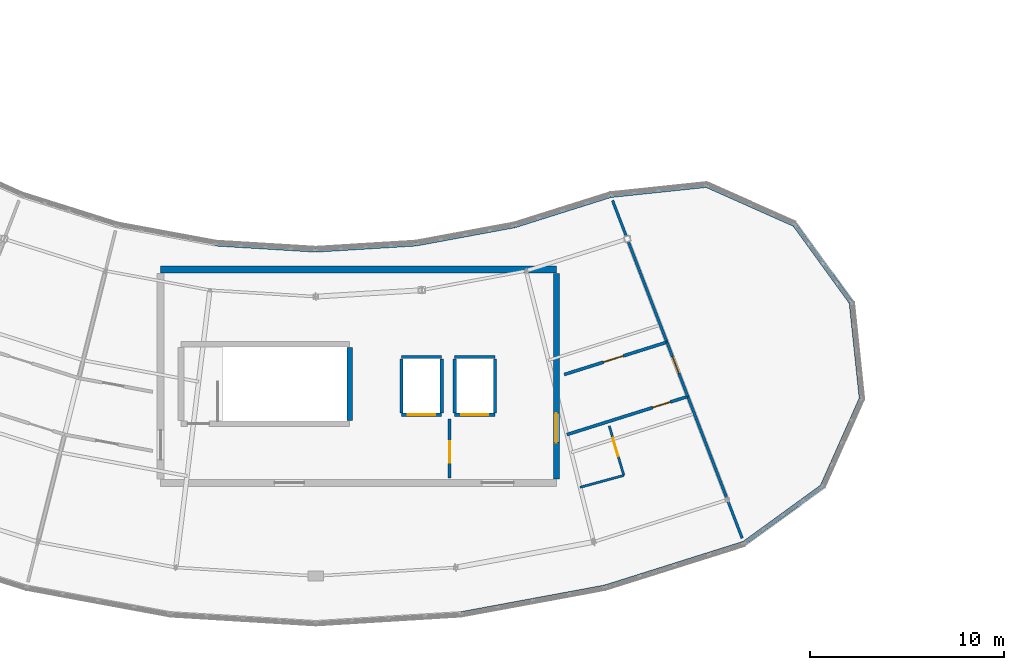
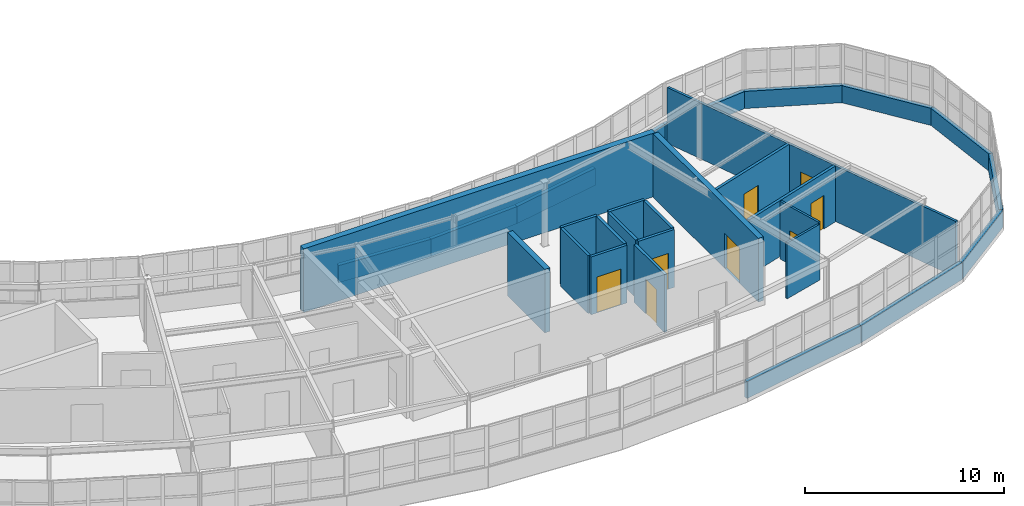
# One storey, part 54 of 60: 31 walls, 8 doors, 8 openings.
"""IFC4 building model written with IfcOpenShell, lengths in metres."""

from ifc_helpers import new_model, si_unit, direction, frame, frame_2d, origin, place, context, subcontext, project, spatial, rectangle, extrude, material, layer, layer_set, type_object, element, fill, save


model = new_model("IFC4")

# Units and contexts
model_context = context("Model", 3, precision=1e-05, world=origin(), true_north=direction((0.0, 1.0)))
body_context = subcontext(model_context, "Body", "Model", "MODEL_VIEW")
ifc_project = project(units=[si_unit("LENGTHUNIT", "METRE"), si_unit("AREAUNIT", "SQUARE_METRE"), si_unit("VOLUMEUNIT", "CUBIC_METRE"), si_unit("PLANEANGLEUNIT", "RADIAN"), si_unit("MASSUNIT", "GRAM", prefix="KILO")], contexts=[model_context])

# Site, building, storey
site_placement = place(None, origin())
site = spatial("IfcSite", under=ifc_project, at=site_placement, CompositionType="ELEMENT")
building_placement = place(site_placement, origin())
building = spatial("IfcBuilding", under=site, at=building_placement, Name="Tarnwether General Hospital", CompositionType="ELEMENT")
storey_placement = place(building_placement, frame((0.0, 0.0, 26.10009765625)))
storey = spatial("IfcBuildingStorey", under=building, at=storey_placement, Name="L06", CompositionType="ELEMENT", Elevation=26.10009765625)

# Walls
ifc_material_1 = material(Name="Streamlined white enamelled aluminium", Category="aluminium")
ifc_layer_1 = layer(ifc_material_1, 0.219970703125)
ifc_layer_set_1 = layer_set([ifc_layer_1], Name="Streamlined white enamelled aluminium")
wall_type_1 = type_object("IfcWallType", Name="WL-EX220", PredefinedType="STANDARD", material=ifc_layer_set_1)
wall_1_placement = place(storey_placement, frame((106.902099609375, 3.22998046875, 0.0), z_axis=(0.0, 0.0, 1.0), x_axis=(-0.983242805192, -0.18230081195, 0.0)))
element("IfcWall", 1, at=wall_1_placement, inside=storey, type_object=wall_type_1, Name="Ward SE Streamlined White Spandrel EW-L06-0253", PredefinedType="STANDARD", context=body_context, shape_type="SweptSolid", body=[
    extrude(rectangle(XDim=7.52099609375, YDim=0.219970703125, at=frame_2d((3.760498046875, 0.0))), origin(), (0.0, 0.0, 1.0), 1.0498046875),
])
wall_2_placement = place(storey_placement, frame((114.074951171875, 5.490966796875, 0.0), z_axis=(0.0, 0.0, 1.0), x_axis=(-0.953740021466, -0.300632618747, 0.0)))
element("IfcWall", 2, at=wall_2_placement, inside=storey, type_object=wall_type_1, Name="Ward SE Streamlined White Spandrel EW-L06-0254", PredefinedType="STANDARD", context=body_context, shape_type="SweptSolid", body=[
    extrude(rectangle(XDim=7.520751953125, YDim=0.219970703125, at=frame_2d((3.76025390625, 0.0))), origin(), (0.0, 0.0, 1.0), 1.0498046875),
])
wall_3_placement = place(storey_placement, frame((118.095947265625, 8.412109375, 0.0), z_axis=(0.0, 0.0, 1.0), x_axis=(-0.809043983396, -0.587748103299, 0.0)))
element("IfcWall", 3, at=wall_3_placement, inside=storey, type_object=wall_type_1, Name="Ward SE Streamlined White Spandrel EW-L06-0255", PredefinedType="STANDARD", context=body_context, shape_type="SweptSolid", body=[
    extrude(rectangle(XDim=4.969970703125, YDim=0.219970703125, at=frame_2d((2.48486328125, 0.0))), origin(), (0.0, 0.0, 1.0), 1.0498046875),
])
for number, where, z_axis, x_axis, name in (
    (4, (120.116943359375, 12.951904296875, 0.0), (0.0, 0.0, 1.0), (-0.406694517229, -0.913564212114, 0.0), "Ward SE Streamlined White Spandrel EW-L06-0256"),
    (5, (119.597900390625, 17.89404296875, 0.0), (0.0, 0.0, 1.0), (0.104449497986, -0.994530191784, 0.0), "Ward SE Streamlined White Spandrel EW-L06-0257"),
    (6, (116.677001953125, 21.9140625, 0.0), (0.0, 0.0, 1.0), (0.587809393373, -0.808999454303, 0.0), "Ward SE Streamlined White Spandrel EW-L06-0258"),
):
    element("IfcWall", number, at=place(storey_placement, frame(where, z_axis=z_axis, x_axis=x_axis)), inside=storey, type_object=wall_type_1, Name=name, PredefinedType="STANDARD", context=body_context, shape_type="SweptSolid", body=[
        extrude(rectangle(XDim=4.96923828125, YDim=0.219970703125, at=frame_2d((2.484619140625, 0.0))), origin(), (0.0, 0.0, 1.0), 1.0498046875),
    ])
wall_4_placement = place(storey_placement, frame((112.136962890625, 23.93603515625, 0.0), z_axis=(0.0, 0.0, 1.0), x_axis=(0.913499319942, -0.406840254235, 0.0)))
element("IfcWall", 7, at=wall_4_placement, inside=storey, type_object=wall_type_1, Name="Ward SE Streamlined White Spandrel EW-L06-0259", PredefinedType="STANDARD", context=body_context, shape_type="SweptSolid", body=[
    extrude(rectangle(XDim=4.969970703125, YDim=0.219970703125, at=frame_2d((2.48486328125, 0.0))), origin(), (0.0, 0.0, 1.0), 1.0498046875),
])
wall_5_placement = place(storey_placement, frame((107.195068359375, 23.416015625, 0.0), z_axis=(0.0, 0.0, 1.0), x_axis=(0.994509221228, 0.10464897941, 0.0)))
element("IfcWall", 8, at=wall_5_placement, inside=storey, type_object=wall_type_1, Name="Ward SE Streamlined White Spandrel EW-L06-0260", PredefinedType="STANDARD", context=body_context, shape_type="SweptSolid", body=[
    extrude(rectangle(XDim=4.96923828125, YDim=0.219970703125, at=frame_2d((2.484619140625, 0.0))), origin(), (0.0, 0.0, 1.0), 1.0498046875),
])
wall_6_placement = place(storey_placement, frame((102.257080078125, 21.85888671875, 0.0), z_axis=(0.0, 0.0, 1.0), x_axis=(0.953706582316, 0.300738681994, 0.0)))
element("IfcWall", 9, at=wall_6_placement, inside=storey, type_object=wall_type_1, Name="Ward SE Streamlined White Spandrel EW-L06-0261", PredefinedType="STANDARD", context=body_context, shape_type="SweptSolid", body=[
    extrude(rectangle(XDim=5.177734375, YDim=0.219970703125, at=frame_2d((2.5888671875, 0.0))), origin(), (0.0, 0.0, 1.0), 1.0498046875),
])
for number, where, z_axis, x_axis, name in (
    (10, (97.1669921875, 20.916015625, 0.0), (0.0, 0.0, 1.0), (0.98327293422, 0.182138235501, 0.0), "Ward SE Streamlined White Spandrel EW-L06-0262"),
    (11, (92.0, 20.60009765625, 0.0), (0.0, 0.0, 1.0), (0.998136079034, 0.061027598104, 0.0), "Ward SE Streamlined White Spandrel EW-L06-0263"),
    (12, (86.8330078125, 20.916015625, 0.0), (0.0, 0.0, 1.0), (0.998136079034, -0.061027598104, 0.0), "Ward SE Streamlined White Spandrel EW-L06-0264"),
):
    element("IfcWall", number, at=place(storey_placement, frame(where, z_axis=z_axis, x_axis=x_axis)), inside=storey, type_object=wall_type_1, Name=name, PredefinedType="STANDARD", context=body_context, shape_type="SweptSolid", body=[
        extrude(rectangle(XDim=5.1767578125, YDim=0.219970703125, at=frame_2d((2.58837890625, 0.0))), origin(), (0.0, 0.0, 1.0), 1.0498046875),
    ])

# Wall, opening, door
ifc_material_2 = material(Name="Gypsum plasterboard")
ifc_layer_2 = layer(ifc_material_2, 0.1201171875)
ifc_layer_set_2 = layer_set([ifc_layer_2], Name="Gypsum plasterboard")
wall_type_2 = type_object("IfcWallType", Name="WL-PT120", PredefinedType="PARTITIONING", material=ifc_layer_set_2)
wall_7_placement = place(storey_placement, frame((107.126953125, 11.537109375, 0.0), z_axis=(0.0, 0.0, 1.0), x_axis=(0.281962578993, -0.959425403066, 0.0)))
wall_7 = element("IfcWall", 13, at=wall_7_placement, inside=storey, type_object=wall_type_2, Name="Interior Partition PT-L06-0507", PredefinedType="PARTITIONING", context=body_context, shape_type="SweptSolid", body=[
    extrude(rectangle(XDim=2.659912109375, YDim=0.1201171875, at=frame_2d((1.330078125, 0.0))), origin(), (0.0, 0.0, 1.0), 3.544921875),
])
opening_1_placement = place(wall_7_placement, frame((0.64990234375, 0.0, 0.0)))
opening_1 = element("IfcOpeningElement", 14, at=opening_1_placement, cuts=wall_7, Name="Opening D-10", PredefinedType="OPENING", context=body_context, shape_type="SweptSolid", body=[
    extrude(rectangle(XDim=0.9599609375, YDim=2.06005859375, at=frame_2d((0.47998046875, 1.030029296875))), frame((0.0, 0.070068359375, 0.0), z_axis=(0.0, -1.0, 0.0), x_axis=(1.0, 0.0, 0.0)), (0.0, 0.0, 1.0), 0.14013671875),
])
ifc_material_3 = material(Name="Anodised aluminium", Category="aluminium")
door_type_1 = type_object("IfcDoorType", Name="DR-IN10", OperationType="NOTDEFINED", PredefinedType="DOOR", material=ifc_material_3)
door_1_placement = place(opening_1_placement, origin())
door_1 = element("IfcDoor", 15, at=door_1_placement, inside=storey, type_object=door_type_1, Name="Interior Door DR-L06-0281", OperationType="SINGLE_SWING_LEFT", OverallHeight=2.06005859375, OverallWidth=0.9599609375, PredefinedType="DOOR", context=body_context, shape_type="SweptSolid", body=[
    extrude(rectangle(XDim=0.9599609375, YDim=2.06005859375, at=frame_2d((0.47998046875, 1.030029296875))), frame((0.0, 0.02490234375, 0.0), z_axis=(0.0, -1.0, 0.0), x_axis=(1.0, 0.0, 0.0)), (0.0, 0.0, 1.0), 0.050048828125),
])
fill(opening_1, door_1)

# Walls
wall_8_placement = place(storey_placement, frame((105.6201171875, 8.3720703125, 0.0), z_axis=(0.0, 0.0, 1.0), x_axis=(0.965030735715, 0.262136756532, 0.0)))
element("IfcWall", 16, at=wall_8_placement, inside=storey, type_object=wall_type_2, Name="Interior Partition PT-L06-0508", PredefinedType="PARTITIONING", context=body_context, shape_type="SweptSolid", body=[
    extrude(rectangle(XDim=2.338623046875, YDim=0.1201171875, at=frame_2d((1.16943359375, 0.0))), origin(), (0.0, 0.0, 1.0), 3.4248046875),
])
ifc_material_4 = material(Name="Gypsum plasterboard")
ifc_layer_3 = layer(ifc_material_4, 0.139892578125)
ifc_layer_set_3 = layer_set([ifc_layer_3], Name="Gypsum plasterboard")
wall_type_3 = type_object("IfcWallType", Name="WL-PT140", PredefinedType="PARTITIONING", material=ifc_layer_set_3)
wall_9_placement = place(storey_placement, frame((111.173095703125, 13.052978515625, 0.0), z_axis=(0.0, 0.0, 1.0), x_axis=(0.358342954102, -0.933590020965, 0.0)))
element("IfcWall", 17, at=wall_9_placement, inside=storey, type_object=wall_type_3, Name="Interior Partition PT-L06-0510", PredefinedType="PARTITIONING", context=body_context, shape_type="SweptSolid", body=[
    extrude(rectangle(XDim=7.8193359375, YDim=0.139892578125, at=frame_2d((3.90966796875, 0.0))), origin(), (0.0, 0.0, 1.0), 3.427978515625),
])
wall_10_placement = place(storey_placement, frame((110.097900390625, 15.85400390625, 0.0), z_axis=(0.0, 0.0, 1.0), x_axis=(-0.358410014332, 0.933564278251, 0.0)))
element("IfcWall", 18, at=wall_10_placement, inside=storey, type_object=wall_type_3, Name="Interior Partition PT-L06-0512", PredefinedType="PARTITIONING", context=body_context, shape_type="SweptSolid", body=[
    extrude(rectangle(XDim=7.820556640625, YDim=0.139892578125, at=frame_2d((3.91015625, 0.0))), origin(), (0.0, 0.0, 1.0), 3.427978515625),
])

# Wall, opening, door
wall_11_placement = place(storey_placement, frame((110.097900390625, 15.85400390625, 0.0), z_axis=(0.0, 0.0, 1.0), x_axis=(0.358362837932, -0.933582388646, 0.0)))
wall_11 = element("IfcWall", 19, at=wall_11_placement, inside=storey, type_object=wall_type_3, Name="Interior Partition PT-L06-0514", PredefinedType="PARTITIONING", context=body_context, shape_type="SweptSolid", body=[
    extrude(rectangle(XDim=3.000244140625, YDim=0.139892578125, at=frame_2d((1.5, 0.0))), origin(), (0.0, 0.0, 1.0), 3.427978515625),
])
opening_2_placement = place(wall_11_placement, frame((0.800048828125, 0.0, 0.0)))
opening_2 = element("IfcOpeningElement", 20, at=opening_2_placement, cuts=wall_11, Name="Opening D-12", PredefinedType="OPENING", context=body_context, shape_type="SweptSolid", body=[
    extrude(rectangle(XDim=0.919921875, YDim=2.0400390625, at=frame_2d((0.4599609375, 1.02001953125))), frame((0.0, 0.080078125, 0.0), z_axis=(0.0, -1.0, 0.0), x_axis=(1.0, 0.0, 0.0)), (0.0, 0.0, 1.0), 0.159912109375),
])
ifc_material_5 = material(Name="Anodised aluminium", Category="aluminium")
door_type_2 = type_object("IfcDoorType", Name="DR-IN12", OperationType="NOTDEFINED", PredefinedType="DOOR", material=ifc_material_5)
door_2_placement = place(opening_2_placement, origin())
door_2 = element("IfcDoor", 21, at=door_2_placement, inside=storey, type_object=door_type_2, Name="Interior Door DR-L06-0284", OperationType="SINGLE_SWING_RIGHT", OverallHeight=2.0400390625, OverallWidth=0.919921875, PredefinedType="DOOR", context=body_context, shape_type="SweptSolid", body=[
    extrude(rectangle(XDim=0.919921875, YDim=2.0400390625, at=frame_2d((0.4599609375, 1.02001953125))), frame((0.0, 0.02490234375, 0.0), z_axis=(0.0, -1.0, 0.0), x_axis=(1.0, 0.0, 0.0)), (0.0, 0.0, 1.0), 0.050048828125),
])
fill(opening_2, door_2)

ifc_material_6 = material(Name="Gypsum plasterboard")
ifc_layer_4 = layer(ifc_material_6, 0.159912109375)
ifc_layer_set_4 = layer_set([ifc_layer_4], Name="Gypsum plasterboard")
wall_type_4 = type_object("IfcWallType", Name="WL-PT160", PredefinedType="PARTITIONING", material=ifc_layer_set_4)
wall_12_placement = place(storey_placement, frame((96.409912109375, 12.110107421875, 0.0), z_axis=(0.0, 0.0, 1.0), x_axis=(1.0, 0.0, 0.0)))
wall_12 = element("IfcWall", 22, at=wall_12_placement, inside=storey, type_object=wall_type_4, Name="Lift L-02 Shaft Wall LSH-L-02-L06-S", PredefinedType="PARTITIONING", context=body_context, shape_type="SweptSolid", body=[
    extrude(rectangle(XDim=2.080078125, YDim=0.159912109375, at=frame_2d((1.0400390625, 0.0))), origin(), (0.0, 0.0, 1.0), 3.544921875),
])
opening_3_placement = place(wall_12_placement, frame((0.340087890625, 0.0, 0.0)))
opening_3 = element("IfcOpeningElement", 23, at=opening_3_placement, cuts=wall_12, Name="Opening LD-01", PredefinedType="OPENING", context=body_context, shape_type="SweptSolid", body=[
    extrude(rectangle(XDim=1.39990234375, YDim=2.199951171875, at=frame_2d((0.699951171875, 1.10009765625))), frame((0.0, 0.08984375, 0.0), z_axis=(0.0, -1.0, 0.0), x_axis=(1.0, 0.0, 0.0)), (0.0, 0.0, 1.0), 0.179931640625),
])
ifc_material_7 = material(Name="Anodised aluminium", Category="aluminium")
door_type_3 = type_object("IfcDoorType", Name="DR-LD01", OperationType="NOTDEFINED", PredefinedType="DOOR", material=ifc_material_7)
door_3_placement = place(opening_3_placement, origin())
door_3 = element("IfcDoor", 24, at=door_3_placement, inside=storey, type_object=door_type_3, Name="Lift L-02 Sliding Landing Door L06", OperationType="SLIDING_TO_RIGHT", OverallHeight=2.199951171875, OverallWidth=1.39990234375, PredefinedType="DOOR", context=body_context, shape_type="SweptSolid", body=[
    extrude(rectangle(XDim=1.39990234375, YDim=2.199951171875, at=frame_2d((0.699951171875, 1.10009765625))), frame((0.0, 0.02490234375, 0.0), z_axis=(0.0, -1.0, 0.0), x_axis=(1.0, 0.0, 0.0)), (0.0, 0.0, 1.0), 0.050048828125),
])
fill(opening_3, door_3)

# Walls
wall_13_placement = place(storey_placement, frame((98.489990234375, 15.090087890625, 0.0), z_axis=(0.0, 0.0, 1.0), x_axis=(-1.0, 0.0, 0.0)))
element("IfcWall", 25, at=wall_13_placement, inside=storey, type_object=wall_type_4, Name="Lift L-02 Shaft Wall LSH-L-02-L06-N", PredefinedType="PARTITIONING", context=body_context, shape_type="SweptSolid", body=[
    extrude(rectangle(XDim=2.080078125, YDim=0.159912109375, at=frame_2d((1.0400390625, 0.0))), origin(), (0.0, 0.0, 1.0), 3.544921875),
])
for number, where, z_axis, x_axis, name in (
    (26, (96.409912109375, 14.989990234375, 0.0), (0.0, 0.0, 1.0), (0.0, -1.0, 0.0), "Lift L-02 Shaft Wall LSH-L-02-L06-W"),
    (27, (98.489990234375, 12.2099609375, 0.0), (0.0, 0.0, 1.0), (0.0, 1.0, 0.0), "Lift L-02 Shaft Wall LSH-L-02-L06-E"),
):
    element("IfcWall", number, at=place(storey_placement, frame(where, z_axis=z_axis, x_axis=x_axis)), inside=storey, type_object=wall_type_4, Name=name, PredefinedType="PARTITIONING", context=body_context, shape_type="SweptSolid", body=[
        extrude(rectangle(XDim=2.780029296875, YDim=0.159912109375, at=frame_2d((1.39013671875, 0.0))), origin(), (0.0, 0.0, 1.0), 3.544921875),
    ])

# Wall, opening, door
wall_14_placement = place(storey_placement, frame((99.159912109375, 12.110107421875, 0.0), z_axis=(0.0, 0.0, 1.0), x_axis=(1.0, 0.0, 0.0)))
wall_14 = element("IfcWall", 28, at=wall_14_placement, inside=storey, type_object=wall_type_4, Name="Lift L-04 Shaft Wall LSH-L-04-L06-S", PredefinedType="PARTITIONING", context=body_context, shape_type="SweptSolid", body=[
    extrude(rectangle(XDim=2.080078125, YDim=0.159912109375, at=frame_2d((1.0400390625, 0.0))), origin(), (0.0, 0.0, 1.0), 3.544921875),
])
opening_4_placement = place(wall_14_placement, frame((0.340087890625, 0.0, 0.0)))
opening_4 = element("IfcOpeningElement", 29, at=opening_4_placement, cuts=wall_14, Name="Opening LD-01", PredefinedType="OPENING", context=body_context, shape_type="SweptSolid", body=[
    extrude(rectangle(XDim=1.39990234375, YDim=2.199951171875, at=frame_2d((0.699951171875, 1.10009765625))), frame((0.0, 0.08984375, 0.0), z_axis=(0.0, -1.0, 0.0), x_axis=(1.0, 0.0, 0.0)), (0.0, 0.0, 1.0), 0.179931640625),
])
door_4_placement = place(opening_4_placement, origin())
door_4 = element("IfcDoor", 30, at=door_4_placement, inside=storey, type_object=door_type_3, Name="Lift L-04 Sliding Landing Door L06", OperationType="SLIDING_TO_RIGHT", OverallHeight=2.199951171875, OverallWidth=1.39990234375, PredefinedType="DOOR", context=body_context, shape_type="SweptSolid", body=[
    extrude(rectangle(XDim=1.39990234375, YDim=2.199951171875, at=frame_2d((0.699951171875, 1.10009765625))), frame((0.0, 0.02490234375, 0.0), z_axis=(0.0, -1.0, 0.0), x_axis=(1.0, 0.0, 0.0)), (0.0, 0.0, 1.0), 0.050048828125),
])
fill(opening_4, door_4)

# Walls
wall_15_placement = place(storey_placement, frame((101.239990234375, 15.090087890625, 0.0), z_axis=(0.0, 0.0, 1.0), x_axis=(-1.0, 0.0, 0.0)))
element("IfcWall", 31, at=wall_15_placement, inside=storey, type_object=wall_type_4, Name="Lift L-04 Shaft Wall LSH-L-04-L06-N", PredefinedType="PARTITIONING", context=body_context, shape_type="SweptSolid", body=[
    extrude(rectangle(XDim=2.080078125, YDim=0.159912109375, at=frame_2d((1.0400390625, 0.0))), origin(), (0.0, 0.0, 1.0), 3.544921875),
])
for number, where, z_axis, x_axis, name in (
    (32, (99.159912109375, 14.989990234375, 0.0), (0.0, 0.0, 1.0), (0.0, -1.0, 0.0), "Lift L-04 Shaft Wall LSH-L-04-L06-W"),
    (33, (101.239990234375, 12.2099609375, 0.0), (0.0, 0.0, 1.0), (0.0, 1.0, 0.0), "Lift L-04 Shaft Wall LSH-L-04-L06-E"),
):
    element("IfcWall", number, at=place(storey_placement, frame(where, z_axis=z_axis, x_axis=x_axis)), inside=storey, type_object=wall_type_4, Name=name, PredefinedType="PARTITIONING", context=body_context, shape_type="SweptSolid", body=[
        extrude(rectangle(XDim=2.780029296875, YDim=0.159912109375, at=frame_2d((1.39013671875, 0.0))), origin(), (0.0, 0.0, 1.0), 3.544921875),
    ])

# Wall, opening, door
wall_16_placement = place(storey_placement, frame((98.89990234375, 8.85009765625, 0.0), z_axis=(0.0, 0.0, 1.0), x_axis=(0.0, 1.0, 0.0)))
wall_16 = element("IfcWall", 34, at=wall_16_placement, inside=storey, type_object=wall_type_4, Name="Firefighting Lobby Divider K2 L06", PredefinedType="PARTITIONING", context=body_context, shape_type="SweptSolid", body=[
    extrude(rectangle(XDim=3.0498046875, YDim=0.159912109375, at=frame_2d((1.52490234375, 0.0))), origin(), (0.0, 0.0, 1.0), 3.544921875),
])
opening_5_placement = place(wall_16_placement, frame((0.800048828125, 0.0, 0.0)))
opening_5 = element("IfcOpeningElement", 35, at=opening_5_placement, cuts=wall_16, Name="Opening FD-06", PredefinedType="OPENING", context=body_context, shape_type="SweptSolid", body=[
    extrude(rectangle(XDim=1.10009765625, YDim=2.14990234375, at=frame_2d((0.550048828125, 1.074951171875))), frame((0.0, 0.08984375, 0.0), z_axis=(0.0, -1.0, 0.0), x_axis=(1.0, 0.0, 0.0)), (0.0, 0.0, 1.0), 0.179931640625),
])
ifc_material_8 = material(Name="Anodised aluminium", Category="aluminium")
door_type_4 = type_object("IfcDoorType", Name="DR-FD06", OperationType="NOTDEFINED", PredefinedType="DOOR", material=ifc_material_8)
door_5_placement = place(opening_5_placement, origin())
door_5 = element("IfcDoor", 36, at=door_5_placement, inside=storey, type_object=door_type_4, Name="Core K2 Inter-Lobby Smoke Door L06", OperationType="SINGLE_SWING_RIGHT", OverallHeight=2.14990234375, OverallWidth=1.10009765625, PredefinedType="DOOR", context=body_context, shape_type="SweptSolid", body=[
    extrude(rectangle(XDim=1.10009765625, YDim=2.14990234375, at=frame_2d((0.550048828125, 1.074951171875))), frame((0.0, 0.02490234375, 0.0), z_axis=(0.0, -1.0, 0.0), x_axis=(1.0, 0.0, 0.0)), (0.0, 0.0, 1.0), 0.050048828125),
])
fill(opening_5, door_5)

wall_17_placement = place(storey_placement, frame((104.943115234375, 11.089111328125, 0.0), z_axis=(0.0, 0.0, 1.0), x_axis=(0.953736183483, 0.30064479426, 0.0)))
wall_17 = element("IfcWall", 37, at=wall_17_placement, inside=storey, type_object=wall_type_4, Name="Interior Partition PT-L06-0509", PredefinedType="PARTITIONING", context=body_context, shape_type="SweptSolid", body=[
    extrude(rectangle(XDim=6.5322265625, YDim=0.159912109375, at=frame_2d((3.26611328125, 0.0))), origin(), (0.0, 0.0, 1.0), 3.4248046875),
])
opening_6_placement = place(wall_17_placement, frame((4.632080078125, 0.0, 0.0)))
opening_6 = element("IfcOpeningElement", 38, at=opening_6_placement, cuts=wall_17, Name="Opening D-10", PredefinedType="OPENING", context=body_context, shape_type="SweptSolid", body=[
    extrude(rectangle(XDim=0.9599609375, YDim=2.06005859375, at=frame_2d((0.47998046875, 1.030029296875))), frame((0.0, 0.08984375, 0.0), z_axis=(0.0, -1.0, 0.0), x_axis=(1.0, 0.0, 0.0)), (0.0, 0.0, 1.0), 0.179931640625),
])
door_6_placement = place(opening_6_placement, origin())
door_6 = element("IfcDoor", 39, at=door_6_placement, inside=storey, type_object=door_type_1, Name="Interior Door DR-L06-0282", OperationType="SINGLE_SWING_RIGHT", OverallHeight=2.06005859375, OverallWidth=0.9599609375, PredefinedType="DOOR", context=body_context, shape_type="SweptSolid", body=[
    extrude(rectangle(XDim=0.9599609375, YDim=2.06005859375, at=frame_2d((0.47998046875, 1.030029296875))), frame((0.0, 0.02490234375, 0.0), z_axis=(0.0, -1.0, 0.0), x_axis=(1.0, 0.0, 0.0)), (0.0, 0.0, 1.0), 0.050048828125),
])
fill(opening_6, door_6)

wall_18_placement = place(storey_placement, frame((104.81005859375, 14.18701171875, 0.0), z_axis=(0.0, 0.0, 1.0), x_axis=(0.953730291319, 0.300663485347, 0.0)))
wall_18 = element("IfcWall", 40, at=wall_18_placement, inside=storey, type_object=wall_type_4, Name="Interior Partition PT-L06-0511", PredefinedType="PARTITIONING", context=body_context, shape_type="SweptSolid", body=[
    extrude(rectangle(XDim=5.54443359375, YDim=0.159912109375, at=frame_2d((2.772216796875, 0.0))), origin(), (0.0, 0.0, 1.0), 3.427978515625),
])
opening_7_placement = place(wall_18_placement, frame((2.1220703125, 0.0, 0.0)))
opening_7 = element("IfcOpeningElement", 41, at=opening_7_placement, cuts=wall_18, Name="Opening D-08", PredefinedType="OPENING", context=body_context, shape_type="SweptSolid", body=[
    extrude(rectangle(XDim=1.06005859375, YDim=2.10009765625, at=frame_2d((0.530029296875, 1.050048828125))), frame((0.0, 0.08984375, 0.0), z_axis=(0.0, -1.0, 0.0), x_axis=(1.0, 0.0, 0.0)), (0.0, 0.0, 1.0), 0.179931640625),
])
ifc_material_9 = material(Name="Anodised aluminium", Category="aluminium")
door_type_5 = type_object("IfcDoorType", Name="DR-IN08", OperationType="NOTDEFINED", PredefinedType="DOOR", material=ifc_material_9)
door_7_placement = place(opening_7_placement, origin())
door_7 = element("IfcDoor", 42, at=door_7_placement, inside=storey, type_object=door_type_5, Name="Interior Door DR-L06-0283", OperationType="SINGLE_SWING_LEFT", OverallHeight=2.10009765625, OverallWidth=1.06005859375, PredefinedType="DOOR", context=body_context, shape_type="SweptSolid", body=[
    extrude(rectangle(XDim=1.06005859375, YDim=2.10009765625, at=frame_2d((0.530029296875, 1.050048828125))), frame((0.0, 0.02490234375, 0.0), z_axis=(0.0, -1.0, 0.0), x_axis=(1.0, 0.0, 0.0)), (0.0, 0.0, 1.0), 0.050048828125),
])
fill(opening_7, door_7)

ifc_material_10 = material(Name="Concrete 50 MPa", Category="concrete")
ifc_layer_5 = layer(ifc_material_10, 0.300048828125)
ifc_layer_set_5 = layer_set([ifc_layer_5], Name="Concrete 50 MPa")
wall_type_5 = type_object("IfcWallType", Name="WL-SW300", PredefinedType="SHEAR", material=ifc_layer_set_5)
wall_19_placement = place(storey_placement, frame((104.39990234375, 19.39990234375, 0.0), z_axis=(0.0, 0.0, 1.0), x_axis=(0.0, -1.0, 0.0)))
wall_19 = element("IfcWall", 43, at=wall_19_placement, inside=storey, type_object=wall_type_5, Name="Core Shear Wall CWALL-K2-L06-E", PredefinedType="SHEAR", context=body_context, shape_type="SweptSolid", body=[
    extrude(rectangle(XDim=10.599853515625, YDim=0.300048828125, at=frame_2d((5.2998046875, 0.0))), origin(), (0.0, 0.0, 1.0), 3.89990234375),
])
opening_8_placement = place(wall_19_placement, frame((7.199951171875, 0.0, 0.0)))
opening_8 = element("IfcOpeningElement", 44, at=opening_8_placement, cuts=wall_19, Name="Opening FD-02", PredefinedType="OPENING", context=body_context, shape_type="SweptSolid", body=[
    extrude(rectangle(XDim=1.52001953125, YDim=2.159912109375, at=frame_2d((0.760009765625, 1.080078125))), frame((0.0, 0.16015625, 0.0), z_axis=(0.0, -1.0, 0.0), x_axis=(1.0, 0.0, 0.0)), (0.0, 0.0, 1.0), 0.320068359375),
])
ifc_material_11 = material(Name="Anodised aluminium", Category="aluminium")
door_type_6 = type_object("IfcDoorType", Name="DR-FD02", OperationType="NOTDEFINED", PredefinedType="DOOR", material=ifc_material_11)
door_8_placement = place(opening_8_placement, origin())
door_8 = element("IfcDoor", 45, at=door_8_placement, inside=storey, type_object=door_type_6, Name="Core K2 Ward Corridor Fire Door L06", OperationType="SINGLE_SWING_RIGHT", OverallHeight=2.159912109375, OverallWidth=1.52001953125, PredefinedType="DOOR", context=body_context, shape_type="SweptSolid", body=[
    extrude(rectangle(XDim=1.52001953125, YDim=2.159912109375, at=frame_2d((0.760009765625, 1.080078125))), frame((0.0, 0.02490234375, 0.0), z_axis=(0.0, -1.0, 0.0), x_axis=(1.0, 0.0, 0.0)), (0.0, 0.0, 1.0), 0.050048828125),
])
fill(opening_8, door_8)

# Walls
wall_20_placement = place(storey_placement, frame((93.75, 11.820068359375, 0.0), z_axis=(0.0, 0.0, 1.0), x_axis=(0.0, 1.0, 0.0)))
element("IfcWall", 46, at=wall_20_placement, inside=storey, type_object=wall_type_5, Name="Stairwell Shear Wall STW-ST-02-L06-F", PredefinedType="SHEAR", context=body_context, shape_type="SweptSolid", body=[
    extrude(rectangle(XDim=3.760009765625, YDim=0.300048828125, at=frame_2d((1.8798828125, 0.0))), origin(), (0.0, 0.0, 1.0), 3.89990234375),
])
ifc_material_12 = material(Name="Concrete 50 MPa", Category="concrete")
ifc_layer_6 = layer(ifc_material_12, 0.35009765625)
ifc_layer_set_6 = layer_set([ifc_layer_6], Name="Concrete 50 MPa")
wall_type_6 = type_object("IfcWallType", Name="WL-SW350", PredefinedType="SHEAR", material=ifc_layer_set_6)
wall_21_placement = place(storey_placement, frame((84.0, 19.60009765625, 0.0), z_axis=(0.0, 0.0, 1.0), x_axis=(1.0, 0.0, 0.0)))
element("IfcWall", 47, at=wall_21_placement, inside=storey, type_object=wall_type_6, Name="Core Shear Wall CWALL-K2-L06-N", PredefinedType="SHEAR", context=body_context, shape_type="SweptSolid", body=[
    extrude(rectangle(XDim=20.39990234375, YDim=0.35009765625, at=frame_2d((10.199951171875, 0.0))), origin(), (0.0, 0.0, 1.0), 3.89990234375),
])

save(model, "model.ifc")
